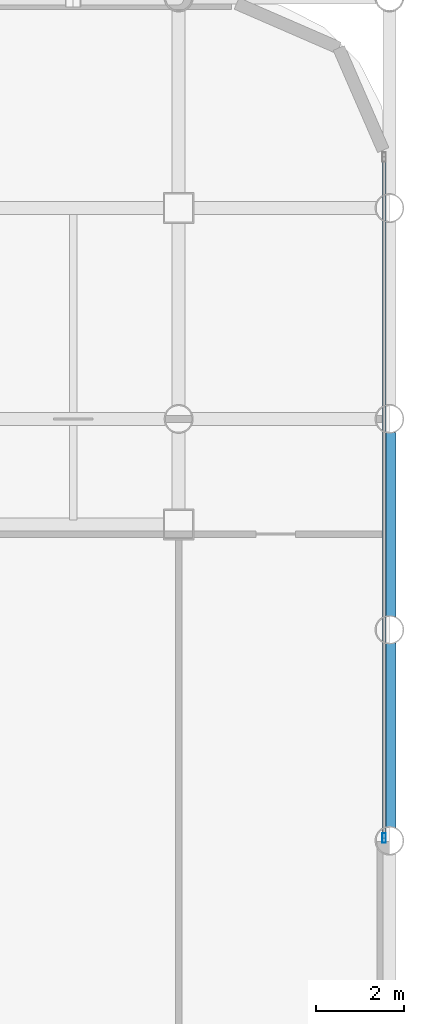
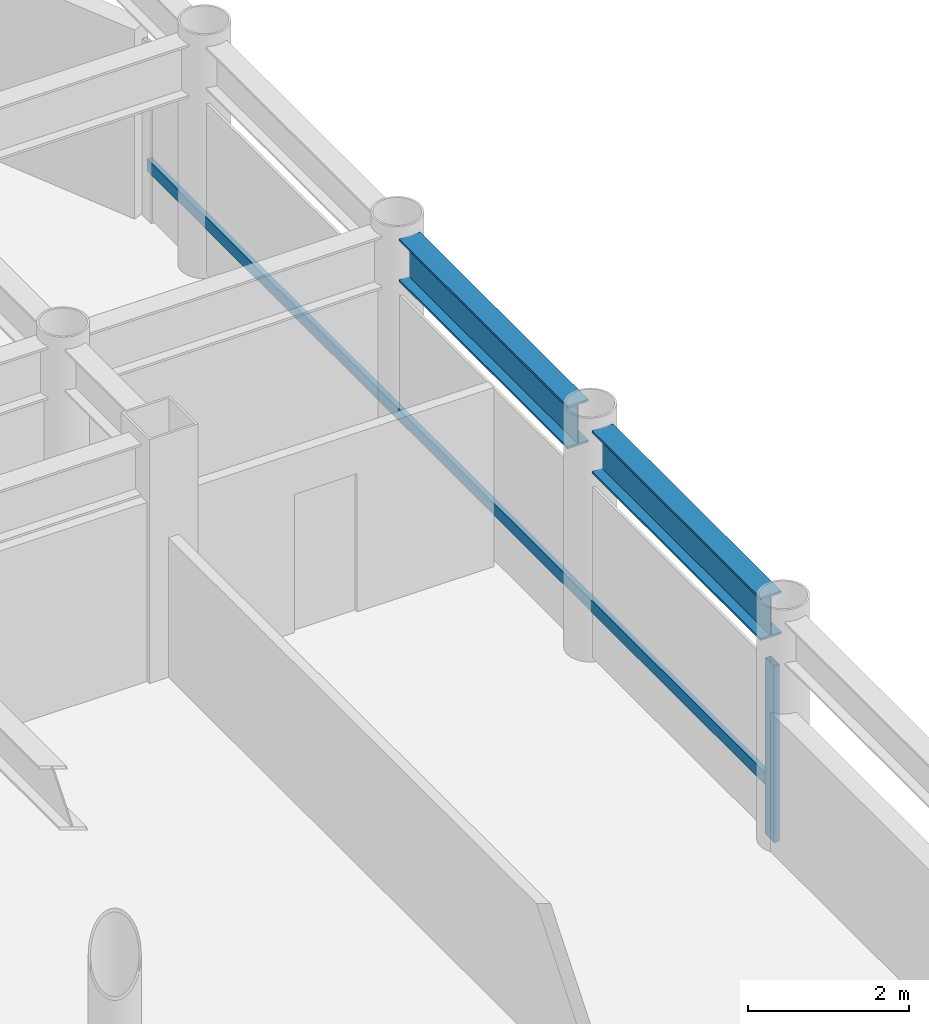
# One storey, part 8 of 20: 2 beams, 2 members, 1 element without a shape of its own.
"""IFC4 building model written with IfcOpenShell, lengths in metres."""

from ifc_helpers import new_model, si_unit, direction, frame, origin, origin_2d, place, context, subcontext, project, spatial, hollow_rectangle, i_section, extrude, material, layer, layer_set, material_profile, profile_set, type_object, element, aggregate, save


model = new_model("IFC4")

# Units and contexts
model_context = context("Model", 3, precision=1e-05, world=origin(), true_north=direction((0.0, 1.0)))
body_context = subcontext(model_context, "Body", "Model", "MODEL_VIEW")
ifc_project = project(units=[si_unit("LENGTHUNIT", "METRE"), si_unit("AREAUNIT", "SQUARE_METRE"), si_unit("VOLUMEUNIT", "CUBIC_METRE"), si_unit("PLANEANGLEUNIT", "RADIAN"), si_unit("MASSUNIT", "GRAM", prefix="KILO")], contexts=[model_context])

# Site, building, storey
site_placement = place(None, origin())
site = spatial("IfcSite", under=ifc_project, at=site_placement, CompositionType="ELEMENT")
building_placement = place(site_placement, origin())
building = spatial("IfcBuilding", under=site, at=building_placement, Name="Kallvorn Hotel Tower", CompositionType="ELEMENT")
storey_placement = place(building_placement, frame((0.0, 0.0, 161.800048828125)))
storey = spatial("IfcBuildingStorey", under=building, at=storey_placement, Name="L40", CompositionType="ELEMENT", Elevation=161.800048828125)

# Beams
ifc_material_1 = material(Name="Structural steel S355JR", Category="steel")
ifc_material_profile_1 = material_profile(ifc_material_1, i_section(OverallWidth=0.300048828125, OverallDepth=0.64990234375, WebThickness=0.01611328125, FlangeThickness=0.031005859375, at=origin_2d()), Name="HE 650 B")
ifc_profile_set_1 = profile_set([ifc_material_profile_1], Name="Structural steel S355JR")
beam_type = type_object("IfcBeamType", Name="BM_HE650B", PredefinedType="BEAM", material=ifc_profile_set_1)
beam_1_placement = place(storey_placement, frame((28.800048828125, 0.304931640625, 3.195068359375), z_axis=(0.0, 1.0, 0.0), x_axis=(-1.0, 0.0, 0.0)))
element("IfcBeam", 1, at=beam_1_placement, inside=storey, type_object=beam_type, Name="L41 Primary Y-Girder 147", PredefinedType="BEAM", context=body_context, shape_type="SweptSolid", body=[
    extrude(i_section(OverallWidth=0.300048828125, OverallDepth=0.64990234375, WebThickness=0.01611328125, FlangeThickness=0.031005859375, at=origin_2d()), origin(), (0.0, 0.0, 1.0), 4.190185546875),
])
beam_2_placement = place(storey_placement, frame((28.800048828125, 5.10498046875, 3.195068359375), z_axis=(0.0, 1.0, 0.0), x_axis=(-1.0, 0.0, 0.0)))
element("IfcBeam", 2, at=beam_2_placement, inside=storey, type_object=beam_type, Name="L41 Primary Y-Girder 148", PredefinedType="BEAM", context=body_context, shape_type="SweptSolid", body=[
    extrude(i_section(OverallWidth=0.300048828125, OverallDepth=0.64990234375, WebThickness=0.01611328125, FlangeThickness=0.031005859375, at=origin_2d()), origin(), (0.0, 0.0, 1.0), 4.18994140625),
])

# Curtain wall, members
ifc_material_2 = material(Name="Thermally broken black-anodised aluminium AA 6063-T6", Category="aluminium")
ifc_layer = layer(ifc_material_2, 0.2099609375)
ifc_layer_set = layer_set([ifc_layer], Name="CW_SYS_4_HOTEL_MID")
curtain_wall_type = type_object("IfcCurtainWallType", Name="CW_SYS_4_HOTEL_MID", PredefinedType="USERDEFINED", material=ifc_layer_set)
curtain_wall_placement = place(storey_placement, origin())
curtain_wall = element("IfcCurtainWall", 3, at=curtain_wall_placement, inside=storey, type_object=curtain_wall_type, Name="L40 Dark-Glass Curtain Wall CW-L40-EN", ObjectType="UNITISED CURTAIN WALL", PredefinedType="USERDEFINED")
ifc_material_3 = material(Name="Thermally broken black-anodised aluminium AA 6063-T6", Category="aluminium")
ifc_material_profile_2 = material_profile(ifc_material_3, hollow_rectangle(XDim=0.080078125, YDim=0.219970703125, WallThickness=0.0048828125, at=origin_2d()), Name="MUL 220x80")
ifc_profile_set_2 = profile_set([ifc_material_profile_2], Name="Thermally broken black-anodised aluminium AA 6063-T6")
member_type_1 = type_object("IfcMemberType", Name="CW_MULLION_220x80", PredefinedType="MULLION", material=ifc_profile_set_2)
member_1_placement = place(storey_placement, frame((28.679931640625, 0.06005859375, 0.02001953125), z_axis=(0.0, 0.0, 1.0), x_axis=(1.0, 0.0, 0.0)))
member_1 = element("IfcMember", 4, at=member_1_placement, type_object=member_type_1, Name="CW-L40-EN Mullion 00", PredefinedType="MULLION", context=body_context, shape_type="SweptSolid", body=[
    extrude(hollow_rectangle(XDim=0.080078125, YDim=0.219970703125, WallThickness=0.0048828125, at=origin_2d()), origin(), (0.0, 0.0, 1.0), 2.679931640625),
])
ifc_material_4 = material(Name="Thermally broken black-anodised aluminium AA 6063-T6", Category="aluminium")
ifc_material_profile_3 = material_profile(ifc_material_4, hollow_rectangle(XDim=0.070068359375, YDim=0.179931640625, WallThickness=0.00390625, at=origin_2d()), Name="TRN 180x70")
ifc_profile_set_3 = profile_set([ifc_material_profile_3], Name="Thermally broken black-anodised aluminium AA 6063-T6")
member_type_2 = type_object("IfcMemberType", Name="CW_TRANSOM_180x70", PredefinedType="USERDEFINED", material=ifc_profile_set_3)
member_2_placement = place(storey_placement, frame((28.679931640625, 0.06005859375, 0.849853515625), z_axis=(0.0, 1.0, 0.0), x_axis=(-1.0, 0.0, 0.0)))
member_2 = element("IfcMember", 5, at=member_2_placement, type_object=member_type_2, Name="CW-L40-EN Transom 00M", ObjectType="TRANSOM", PredefinedType="USERDEFINED", context=body_context, shape_type="SweptSolid", body=[
    extrude(hollow_rectangle(XDim=0.070068359375, YDim=0.179931640625, WallThickness=0.00390625, at=origin_2d()), origin(), (0.0, 0.0, 1.0), 15.5),
])
aggregate(curtain_wall, [member_1, member_2])

save(model, "model.ifc")
